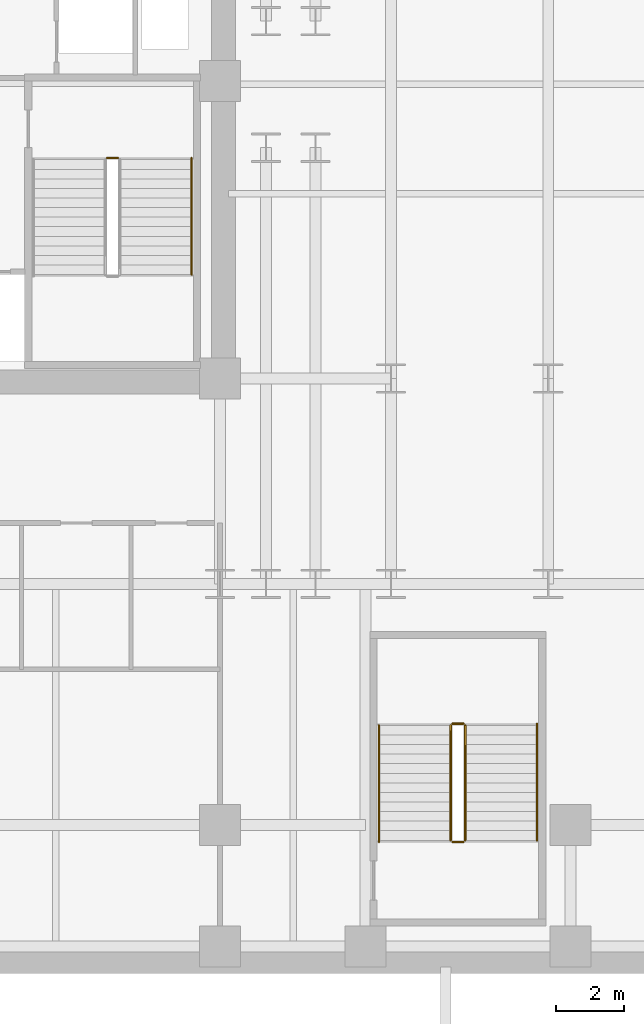
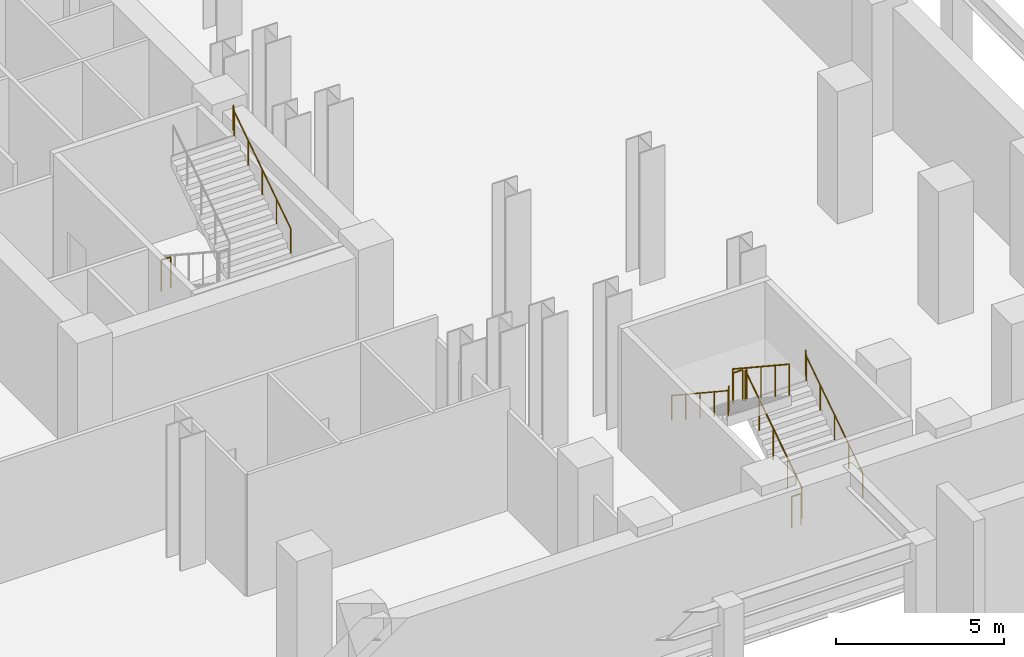
# One storey, part 12 of 13: 8 railings.
"""IFC4 building model written with IfcOpenShell, lengths in metres."""

from ifc_helpers import new_model, si_unit, direction, frame, origin, origin_2d, place, context, subcontext, project, spatial, circle, extrude, material, type_object, element, save


model = new_model("IFC4")

# Units and contexts
model_context = context("Model", 3, precision=1e-05, world=origin(), true_north=direction((0.0, 1.0)))
body_context = subcontext(model_context, "Body", "Model", "MODEL_VIEW")
ifc_project = project(units=[si_unit("LENGTHUNIT", "METRE"), si_unit("AREAUNIT", "SQUARE_METRE"), si_unit("VOLUMEUNIT", "CUBIC_METRE"), si_unit("PLANEANGLEUNIT", "RADIAN"), si_unit("MASSUNIT", "GRAM", prefix="KILO")], contexts=[model_context])

# Site, building, storey
site_placement = place(None, origin())
site = spatial("IfcSite", under=ifc_project, at=site_placement, CompositionType="ELEMENT")
building_placement = place(site_placement, origin())
building = spatial("IfcBuilding", under=site, at=building_placement, Name="Velakula Bourse", CompositionType="ELEMENT")
storey_placement = place(building_placement, frame((0.0, 0.0, -4.800048828125)))
storey = spatial("IfcBuildingStorey", under=building, at=storey_placement, Name="B01", CompositionType="ELEMENT", Elevation=-4.800048828125)

# Railings
ifc_material = material(Name="Brushed grade 316 stainless steel", Category="steel")
railing_type_1 = type_object("IfcRailingType", Name="RLG-STAIR-GUARD-1150", PredefinedType="BALUSTRADE", material=ifc_material)
railing_1_placement = place(storey_placement, frame((15.298095703125, -2.14990234375, 0.0)))
element("IfcRailing", 1, at=railing_1_placement, inside=storey, type_object=railing_type_1, Name="B01 ST-E1 stair guard 4", PredefinedType="BALUSTRADE", context=body_context, shape_type="SweptSolid", body=[
    extrude(circle(Radius=0.02490234375, at=origin_2d()), frame((0.0, 0.0, 1.125), z_axis=(1.0, 0.0, 0.0), x_axis=(0.0, 1.0, 0.0)), (0.0, 0.0, 1.0), 0.323974609375),
    extrude(circle(Radius=0.02099609375, at=origin_2d()), origin(), (0.0, 0.0, 1.0), 1.099853515625),
    extrude(circle(Radius=0.02099609375, at=origin_2d()), frame((0.323974609375, 0.0, 0.0)), (0.0, 0.0, 1.0), 1.099853515625),
])
railing_2_placement = place(storey_placement, frame((25.77197265625, -22.10009765625, 0.1845703125)))
element("IfcRailing", 2, at=railing_2_placement, inside=storey, type_object=railing_type_1, Name="B01 ST-P2 stair guard 1", PredefinedType="BALUSTRADE", context=body_context, shape_type="SweptSolid", body=[
    extrude(circle(Radius=0.02490234375, at=origin_2d()), frame((0.0, 0.0, 1.125), z_axis=(0.0, 0.834848600103, 0.550479622607), x_axis=(-1.0, 0.0, 0.0)), (0.0, 0.0, 1.0), 4.02490234375),
    extrude(circle(Radius=0.02099609375, at=origin_2d()), origin(), (0.0, 0.0, 1.0), 1.099853515625),
    extrude(circle(Radius=0.02099609375, at=origin_2d()), frame((0.0, 0.840087890625, 0.553955078125)), (0.0, 0.0, 1.0), 1.099853515625),
    extrude(circle(Radius=0.02099609375, at=origin_2d()), frame((0.0, 1.68017578125, 1.10791015625)), (0.0, 0.0, 1.0), 1.099853515625),
    extrude(circle(Radius=0.02099609375, at=origin_2d()), frame((0.0, 2.52001953125, 1.66162109375)), (0.0, 0.0, 1.0), 1.099853515625),
    extrude(circle(Radius=0.02099609375, at=origin_2d()), frame((0.0, 3.360107421875, 2.215576171875)), (0.0, 0.0, 1.0), 1.099853515625),
])
railing_3_placement = place(storey_placement, frame((25.721923828125, -18.68994140625, 2.400146484375)))
element("IfcRailing", 3, at=railing_3_placement, inside=storey, type_object=railing_type_1, Name="B01 ST-P2 stair guard 2", PredefinedType="BALUSTRADE", context=body_context, shape_type="SweptSolid", body=[
    extrude(circle(Radius=0.02490234375, at=origin_2d()), frame((0.0, 0.0, 1.125), z_axis=(-1.0, 0.0, 0.0), x_axis=(0.0, -1.0, 0.0)), (0.0, 0.0, 1.0), 0.323974609375),
    extrude(circle(Radius=0.02099609375, at=origin_2d()), origin(), (0.0, 0.0, 1.0), 1.099853515625),
    extrude(circle(Radius=0.02099609375, at=origin_2d()), frame((-0.323974609375, 0.0, 0.0)), (0.0, 0.0, 1.0), 1.099853515625),
])
railing_4_placement = place(storey_placement, frame((25.347900390625, -18.739990234375, 2.584716796875)))
element("IfcRailing", 4, at=railing_4_placement, inside=storey, type_object=railing_type_1, Name="B01 ST-P2 stair guard 3", PredefinedType="BALUSTRADE", context=body_context, shape_type="SweptSolid", body=[
    extrude(circle(Radius=0.02490234375, at=origin_2d()), frame((0.0, 0.0, 1.125), z_axis=(0.0, -0.834876476806, 0.550437342915), x_axis=(1.0, 0.0, 0.0)), (0.0, 0.0, 1.0), 4.024658203125),
    extrude(circle(Radius=0.02099609375, at=origin_2d()), origin(), (0.0, 0.0, 1.0), 1.099853515625),
    extrude(circle(Radius=0.02099609375, at=origin_2d()), frame((0.0, -0.840087890625, 0.5537109375)), (0.0, 0.0, 1.0), 1.099853515625),
    extrude(circle(Radius=0.02099609375, at=origin_2d()), frame((0.0, -1.68017578125, 1.107666015625)), (0.0, 0.0, 1.0), 1.099853515625),
    extrude(circle(Radius=0.02099609375, at=origin_2d()), frame((0.0, -2.52001953125, 1.66162109375)), (0.0, 0.0, 1.0), 1.099853515625),
    extrude(circle(Radius=0.02099609375, at=origin_2d()), frame((0.0, -3.360107421875, 2.21533203125)), (0.0, 0.0, 1.0), 1.099853515625),
])
railing_5_placement = place(storey_placement, frame((25.721923828125, -22.14990234375, 0.0)))
element("IfcRailing", 5, at=railing_5_placement, inside=storey, type_object=railing_type_1, Name="B01 ST-P2 stair guard 4", PredefinedType="BALUSTRADE", context=body_context, shape_type="SweptSolid", body=[
    extrude(circle(Radius=0.02490234375, at=origin_2d()), frame((0.0, 0.0, 1.125), z_axis=(-1.0, 0.0, 0.0), x_axis=(0.0, -1.0, 0.0)), (0.0, 0.0, 1.0), 0.323974609375),
    extrude(circle(Radius=0.02099609375, at=origin_2d()), origin(), (0.0, 0.0, 1.0), 1.099853515625),
    extrude(circle(Radius=0.02099609375, at=origin_2d()), frame((-0.323974609375, 0.0, 0.0)), (0.0, 0.0, 1.0), 1.099853515625),
])
railing_type_2 = type_object("IfcRailingType", Name="RLG-STAIR-HAND-920", PredefinedType="HANDRAIL", material=ifc_material)
railing_6_placement = place(storey_placement, frame((17.77001953125, -5.56005859375, 2.584716796875)))
element("IfcRailing", 6, at=railing_6_placement, inside=storey, type_object=railing_type_2, Name="B01 ST-E1 stair handrail 2", PredefinedType="HANDRAIL", context=body_context, shape_type="SweptSolid", body=[
    extrude(circle(Radius=0.02099609375, at=origin_2d()), frame((0.0, 0.0, 0.89892578125), z_axis=(0.0, 0.834876476806, 0.550437342915), x_axis=(-1.0, 0.0, 0.0)), (0.0, 0.0, 1.0), 4.024658203125),
    extrude(circle(Radius=0.02099609375, at=origin_2d()), frame((0.0, 3.360107421875, 3.1142578125), z_axis=(0.0, 0.212000284517, 0.977269604237), x_axis=(-1.0, 0.0, 0.0)), (0.0, 0.0, 1.0), 0.18896484375),
    extrude(circle(Radius=0.02099609375, at=origin_2d()), frame((0.0, 3.400146484375, 3.298828125), z_axis=(0.0, 1.0, 0.0), x_axis=(-1.0, 0.0, 0.0)), (0.0, 0.0, 1.0), 0.0048828125),
    extrude(circle(Radius=0.02099609375, at=origin_2d()), origin(), (0.0, 0.0, 1.0), 0.8779296875),
    extrude(circle(Radius=0.02099609375, at=origin_2d()), frame((0.0, 0.840087890625, 0.5537109375)), (0.0, 0.0, 1.0), 0.8779296875),
    extrude(circle(Radius=0.02099609375, at=origin_2d()), frame((0.0, 1.68017578125, 1.107666015625)), (0.0, 0.0, 1.0), 0.8779296875),
    extrude(circle(Radius=0.02099609375, at=origin_2d()), frame((0.0, 2.52001953125, 1.66162109375)), (0.0, 0.0, 1.0), 0.8779296875),
    extrude(circle(Radius=0.02099609375, at=origin_2d()), frame((0.0, 3.360107421875, 2.21533203125)), (0.0, 0.0, 1.0), 0.8779296875),
    extrude(circle(Radius=0.02099609375, at=origin_2d()), frame((0.0, 3.400146484375, 2.39990234375)), (0.0, 0.0, 1.0), 0.8779296875),
    extrude(circle(Radius=0.02099609375, at=origin_2d()), frame((0.0, 3.405029296875, 2.39990234375)), (0.0, 0.0, 1.0), 0.8779296875),
])
railing_7_placement = place(storey_placement, frame((27.8701171875, -22.10009765625, 0.1845703125)))
element("IfcRailing", 7, at=railing_7_placement, inside=storey, type_object=railing_type_2, Name="B01 ST-P2 stair handrail 1", PredefinedType="HANDRAIL", context=body_context, shape_type="SweptSolid", body=[
    extrude(circle(Radius=0.02099609375, at=origin_2d()), frame((0.0, 0.0, 0.89892578125), z_axis=(0.0, 0.834848600103, 0.550479622607), x_axis=(-1.0, 0.0, 0.0)), (0.0, 0.0, 1.0), 4.02490234375),
    extrude(circle(Radius=0.02099609375, at=origin_2d()), frame((0.0, 3.360107421875, 3.114501953125), z_axis=(0.0, 0.212000284517, 0.977269604237), x_axis=(-1.0, 0.0, 0.0)), (0.0, 0.0, 1.0), 0.18896484375),
    extrude(circle(Radius=0.02099609375, at=origin_2d()), frame((0.0, 3.400146484375, 3.299072265625), z_axis=(0.0, 1.0, 0.0), x_axis=(-1.0, 0.0, 0.0)), (0.0, 0.0, 1.0), 0.0048828125),
    extrude(circle(Radius=0.02099609375, at=origin_2d()), origin(), (0.0, 0.0, 1.0), 0.8779296875),
    extrude(circle(Radius=0.02099609375, at=origin_2d()), frame((0.0, 0.840087890625, 0.553955078125)), (0.0, 0.0, 1.0), 0.8779296875),
    extrude(circle(Radius=0.02099609375, at=origin_2d()), frame((0.0, 1.68017578125, 1.10791015625)), (0.0, 0.0, 1.0), 0.8779296875),
    extrude(circle(Radius=0.02099609375, at=origin_2d()), frame((0.0, 2.52001953125, 1.66162109375)), (0.0, 0.0, 1.0), 0.8779296875),
    extrude(circle(Radius=0.02099609375, at=origin_2d()), frame((0.0, 3.360107421875, 2.215576171875)), (0.0, 0.0, 1.0), 0.8779296875),
    extrude(circle(Radius=0.02099609375, at=origin_2d()), frame((0.0, 3.400146484375, 2.400146484375)), (0.0, 0.0, 1.0), 0.8779296875),
    extrude(circle(Radius=0.02099609375, at=origin_2d()), frame((0.0, 3.405029296875, 2.400146484375)), (0.0, 0.0, 1.0), 0.8779296875),
])
railing_8_placement = place(storey_placement, frame((23.25, -18.739990234375, 2.584716796875)))
element("IfcRailing", 8, at=railing_8_placement, inside=storey, type_object=railing_type_2, Name="B01 ST-P2 stair handrail 2", PredefinedType="HANDRAIL", context=body_context, shape_type="SweptSolid", body=[
    extrude(circle(Radius=0.02099609375, at=origin_2d()), frame((0.0, 0.0, 0.89892578125), z_axis=(0.0, -0.834876476806, 0.550437342915), x_axis=(1.0, 0.0, 0.0)), (0.0, 0.0, 1.0), 4.024658203125),
    extrude(circle(Radius=0.02099609375, at=origin_2d()), frame((0.0, -3.360107421875, 3.1142578125), z_axis=(0.0, -0.210765191725, 0.977536717447), x_axis=(1.0, 0.0, 0.0)), (0.0, 0.0, 1.0), 0.188720703125),
    extrude(circle(Radius=0.02099609375, at=origin_2d()), frame((0.0, -3.39990234375, 3.298828125), z_axis=(0.0, -1.0, 0.0), x_axis=(1.0, 0.0, 0.0)), (0.0, 0.0, 1.0), 0.005126953125),
    extrude(circle(Radius=0.02099609375, at=origin_2d()), origin(), (0.0, 0.0, 1.0), 0.8779296875),
    extrude(circle(Radius=0.02099609375, at=origin_2d()), frame((0.0, -0.840087890625, 0.5537109375)), (0.0, 0.0, 1.0), 0.8779296875),
    extrude(circle(Radius=0.02099609375, at=origin_2d()), frame((0.0, -1.68017578125, 1.107666015625)), (0.0, 0.0, 1.0), 0.8779296875),
    extrude(circle(Radius=0.02099609375, at=origin_2d()), frame((0.0, -2.52001953125, 1.66162109375)), (0.0, 0.0, 1.0), 0.8779296875),
    extrude(circle(Radius=0.02099609375, at=origin_2d()), frame((0.0, -3.360107421875, 2.21533203125)), (0.0, 0.0, 1.0), 0.8779296875),
    extrude(circle(Radius=0.02099609375, at=origin_2d()), frame((0.0, -3.39990234375, 2.39990234375)), (0.0, 0.0, 1.0), 0.8779296875),
    extrude(circle(Radius=0.02099609375, at=origin_2d()), frame((0.0, -3.405029296875, 2.39990234375)), (0.0, 0.0, 1.0), 0.8779296875),
])

save(model, "model.ifc")
